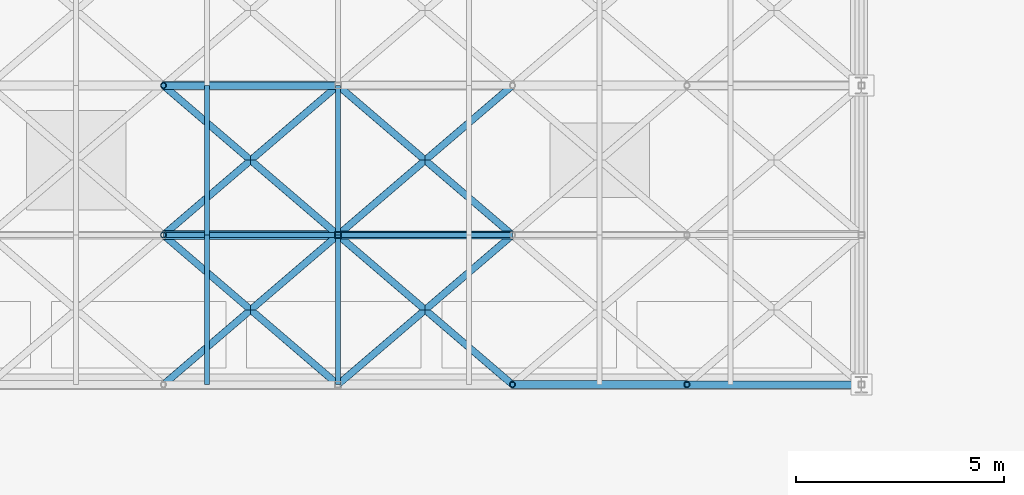
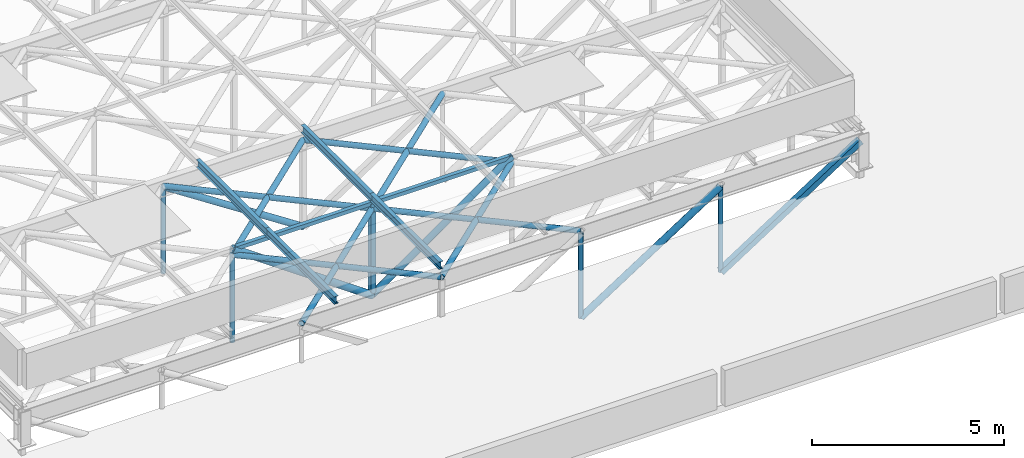
# One storey, part 6 of 45: 24 members.
"""IFC4 building model written with IfcOpenShell, lengths in metres."""

from ifc_helpers import new_model, si_unit, derived_unit, direction, frame, origin, origin_2d, place, context, subcontext, project, spatial, hollow_rectangle, hollow_circle, i_section, extrude, material, material_profile, profile_set, type_object, element, save


model = new_model("IFC4")

# Units and contexts
model_context = context("Model", 3, precision=1e-05, world=origin(), true_north=direction((0.0, 1.0)))
body_context = subcontext(model_context, "Body", "Model", "MODEL_VIEW")
ifc_project = project(units=[si_unit("LENGTHUNIT", "METRE"), si_unit("AREAUNIT", "SQUARE_METRE"), si_unit("VOLUMEUNIT", "CUBIC_METRE"), si_unit("PLANEANGLEUNIT", "RADIAN"), si_unit("MASSUNIT", "GRAM", prefix="KILO"), derived_unit("THERMALTRANSMITTANCEUNIT", [(si_unit("MASSUNIT", "GRAM", prefix="KILO"), 1), (si_unit("TIMEUNIT", "SECOND"), -3), (si_unit("THERMODYNAMICTEMPERATUREUNIT", "KELVIN"), -1)])], contexts=[model_context])

# Site, building, storey
site_placement = place(None, origin())
site = spatial("IfcSite", under=ifc_project, at=site_placement, CompositionType="ELEMENT")
building_placement = place(site_placement, origin())
building = spatial("IfcBuilding", under=site, at=building_placement, Name="Veldstrom Oceanarium and Marine Research Institute", CompositionType="ELEMENT")
storey_placement = place(building_placement, frame((0.0, 0.0, 22.199951171875)))
storey = spatial("IfcBuildingStorey", under=building, at=storey_placement, Name="L04", CompositionType="ELEMENT", Elevation=22.199951171875)

# Members
ifc_material_1 = material(Name="Steel S355JR", Category="steel")
ifc_material_profile_1 = material_profile(ifc_material_1, hollow_circle(Radius=0.109619140625, WallThickness=0.012451171875, at=origin_2d()), Name="CHS 219.1x12.5")
ifc_profile_set_1 = profile_set([ifc_material_profile_1], Name="Steel S355JR")
member_type_1 = type_object("IfcMemberType", Name="STR-MEM-BR1", PredefinedType="BRACE", material=ifc_profile_set_1)
member_1_placement = place(storey_placement, frame((25.199951171875, 18.0, 1.050048828125), z_axis=(0.818316866904, 0.0, -0.574767348881), x_axis=(0.0, 1.0, 0.0)))
element("IfcMember", 1, at=member_1_placement, inside=storey, type_object=member_type_1, Name="Truss Web Diagonal RT02-3", PredefinedType="BRACE", context=body_context, shape_type="SweptSolid", body=[
    extrude(hollow_circle(Radius=0.109619140625, WallThickness=0.012451171875, at=origin_2d()), origin(), (0.0, 0.0, 1.0), 5.13232421875),
])
ifc_material_2 = material(Name="Steel S355JR", Category="steel")
ifc_material_profile_2 = material_profile(ifc_material_2, hollow_circle(Radius=0.096923828125, WallThickness=0.010009765625, at=origin_2d()), Name="CHS 193.7x10")
ifc_profile_set_2 = profile_set([ifc_material_profile_2], Name="Steel S355JR")
member_type_2 = type_object("IfcMemberType", Name="STR-MEM-BR2", PredefinedType="BRACE", material=ifc_profile_set_2)
member_2_placement = place(storey_placement, frame((33.60009765625, 14.39990234375, -1.89990234375), z_axis=(0.841046607487, 0.0, 0.540962664178), x_axis=(0.0, 1.0, 0.0)))
element("IfcMember", 2, at=member_2_placement, inside=storey, type_object=member_type_2, Name="Truss Web Diagonal RT01-5", PredefinedType="BRACE", context=body_context, shape_type="SweptSolid", body=[
    extrude(hollow_circle(Radius=0.096923828125, WallThickness=0.010009765625, at=origin_2d()), origin(), (0.0, 0.0, 1.0), 4.99365234375),
])
member_3_placement = place(storey_placement, frame((29.39990234375, 18.0, -1.89990234375), z_axis=(0.81833258052, 0.0, 0.574744976193), x_axis=(0.0, 1.0, 0.0)))
element("IfcMember", 3, at=member_3_placement, inside=storey, type_object=member_type_2, Name="Truss Web Diagonal RT02-4", PredefinedType="BRACE", context=body_context, shape_type="SweptSolid", body=[
    extrude(hollow_circle(Radius=0.096923828125, WallThickness=0.010009765625, at=origin_2d()), origin(), (0.0, 0.0, 1.0), 5.132568359375),
])
member_4_placement = place(storey_placement, frame((25.199951171875, 21.60009765625, 0.843505859375), z_axis=(0.837217300889, 0.0, -0.546870360407), x_axis=(0.0, 1.0, 0.0)))
element("IfcMember", 4, at=member_4_placement, inside=storey, type_object=member_type_2, Name="Truss Web Diagonal RT03-3", PredefinedType="BRACE", context=body_context, shape_type="SweptSolid", body=[
    extrude(hollow_circle(Radius=0.096923828125, WallThickness=0.010009765625, at=origin_2d()), origin(), (0.0, 0.0, 1.0), 5.0166015625),
])
ifc_material_3 = material(Name="Steel S355JR", Category="steel")
ifc_material_profile_3 = material_profile(ifc_material_3, hollow_circle(Radius=0.084228515625, WallThickness=0.008056640625, at=origin_2d()), Name="CHS 168.3x8")
ifc_profile_set_3 = profile_set([ifc_material_profile_3], Name="Steel S355JR")
member_type_3 = type_object("IfcMemberType", Name="STR-MEM-BR3", PredefinedType="BRACE", material=ifc_profile_set_3)
for number, where, z_axis, x_axis, name in (
    (5, (25.199951171875, 14.39990234375, 0.860107421875), (0.759244140748, 0.650805911728, 0.0), (-0.650805911728, 0.759244140748, 0.0), "Roof Plan Wind Brace WB-01-3"),
    (6, (29.39990234375, 14.39990234375, 0.860107421875), (-0.759244140748, 0.650805911728, 0.0), (-0.650805911728, -0.759244140748, 0.0), "Roof Plan Counter Wind Brace WB-01-3B"),
):
    element("IfcMember", number, at=place(storey_placement, frame(where, z_axis=z_axis, x_axis=x_axis)), inside=storey, type_object=member_type_3, Name=name, PredefinedType="BRACE", context=body_context, shape_type="SweptSolid", body=[
        extrude(hollow_circle(Radius=0.084228515625, WallThickness=0.008056640625, at=origin_2d()), origin(), (0.0, 0.0, 1.0), 5.53173828125),
    ])
for number, where, z_axis, x_axis, name in (
    (7, (29.39990234375, 14.39990234375, 0.860107421875), (0.759262832861, 0.650784104474, 0.0), (-0.650784104474, 0.759262832861, 0.0), "Roof Plan Wind Brace WB-01-4"),
    (8, (33.60009765625, 14.39990234375, 0.860107421875), (-0.759262832861, 0.650784104474, 0.0), (-0.650784104474, -0.759262832861, 0.0), "Roof Plan Counter Wind Brace WB-01-4B"),
):
    element("IfcMember", number, at=place(storey_placement, frame(where, z_axis=z_axis, x_axis=x_axis)), inside=storey, type_object=member_type_3, Name=name, PredefinedType="BRACE", context=body_context, shape_type="SweptSolid", body=[
        extrude(hollow_circle(Radius=0.084228515625, WallThickness=0.008056640625, at=origin_2d()), origin(), (0.0, 0.0, 1.0), 5.531982421875),
    ])
for number, where, z_axis, x_axis, name in (
    (9, (25.199951171875, 18.0, 0.860107421875), (0.759244140748, 0.650805911728, 0.0), (-0.650805911728, 0.759244140748, 0.0), "Roof Plan Wind Brace WB-02-3"),
    (10, (29.39990234375, 18.0, 0.860107421875), (-0.759244140748, 0.650805911728, 0.0), (-0.650805911728, -0.759244140748, 0.0), "Roof Plan Counter Wind Brace WB-02-3B"),
):
    element("IfcMember", number, at=place(storey_placement, frame(where, z_axis=z_axis, x_axis=x_axis)), inside=storey, type_object=member_type_3, Name=name, PredefinedType="BRACE", context=body_context, shape_type="SweptSolid", body=[
        extrude(hollow_circle(Radius=0.084228515625, WallThickness=0.008056640625, at=origin_2d()), origin(), (0.0, 0.0, 1.0), 5.53173828125),
    ])
for number, where, z_axis, x_axis, name in (
    (11, (29.39990234375, 18.0, 0.860107421875), (0.759262832861, 0.650784104474, 0.0), (-0.650784104474, 0.759262832861, 0.0), "Roof Plan Wind Brace WB-02-4"),
    (12, (33.60009765625, 18.0, 0.860107421875), (-0.759262832861, 0.650784104474, 0.0), (-0.650784104474, -0.759262832861, 0.0), "Roof Plan Counter Wind Brace WB-02-4B"),
):
    element("IfcMember", number, at=place(storey_placement, frame(where, z_axis=z_axis, x_axis=x_axis)), inside=storey, type_object=member_type_3, Name=name, PredefinedType="BRACE", context=body_context, shape_type="SweptSolid", body=[
        extrude(hollow_circle(Radius=0.084228515625, WallThickness=0.008056640625, at=origin_2d()), origin(), (0.0, 0.0, 1.0), 5.531982421875),
    ])
ifc_material_4 = material(Name="Steel S355JR", Category="steel")
ifc_material_profile_4 = material_profile(ifc_material_4, hollow_rectangle(XDim=0.179931640625, YDim=0.179931640625, WallThickness=0.010009765625, at=origin_2d()), Name="SHS 180x180x10")
ifc_profile_set_4 = profile_set([ifc_material_profile_4], Name="Steel S355JR")
member_type_4 = type_object("IfcMemberType", Name="STR-MEM-BR4", PredefinedType="BRACE", material=ifc_profile_set_4)
member_5_placement = place(storey_placement, frame((37.800048828125, 14.39990234375, -1.89990234375), z_axis=(0.841046607487, 0.0, 0.540962664178), x_axis=(0.0, 1.0, 0.0)))
element("IfcMember", 13, at=member_5_placement, inside=storey, type_object=member_type_4, Name="Truss Web Diagonal RT01-6", PredefinedType="BRACE", context=body_context, shape_type="SweptSolid", body=[
    extrude(hollow_rectangle(XDim=0.179931640625, YDim=0.179931640625, WallThickness=0.010009765625, at=origin_2d()), origin(), (0.0, 0.0, 1.0), 4.99365234375),
])
ifc_material_5 = material(Name="Steel S355JR", Category="steel")
ifc_material_profile_5 = material_profile(ifc_material_5, i_section(OverallWidth=0.1201171875, OverallDepth=0.239990234375, WebThickness=0.006103515625, FlangeThickness=0.009765625, FilletRadius=0.014892578125, at=origin_2d()), Name="IPE 240")
ifc_profile_set_5 = profile_set([ifc_material_profile_5], Name="Steel S355JR")
member_type_5 = type_object("IfcMemberType", Name="STR-MEM-PR1", PredefinedType="PURLIN", material=ifc_profile_set_5)
for number, where, z_axis, x_axis, name in (
    (14, (26.25, 14.39990234375, 1.22998046875), (0.0, 1.0, 0.0), (-1.0, 0.0, 0.0), "Hall Roof Purlin PR-02-4"),
    (15, (29.39990234375, 14.39990234375, 1.22998046875), (0.0, 1.0, 0.0), (-1.0, 0.0, 0.0), "Hall Roof Purlin PR-02-5"),
    (16, (26.25, 18.0, 1.22998046875), (0.0, 1.0, 0.0), (-1.0, 0.0, 0.0), "Hall Roof Purlin PR-03-4"),
    (17, (29.39990234375, 18.0, 1.22998046875), (0.0, 1.0, 0.0), (-1.0, 0.0, 0.0), "Hall Roof Purlin PR-03-5"),
):
    element("IfcMember", number, at=place(storey_placement, frame(where, z_axis=z_axis, x_axis=x_axis)), inside=storey, type_object=member_type_5, Name=name, PredefinedType="PURLIN", context=body_context, shape_type="SweptSolid", body=[
        extrude(i_section(OverallWidth=0.1201171875, OverallDepth=0.239990234375, WebThickness=0.006103515625, FlangeThickness=0.009765625, FilletRadius=0.014892578125, at=origin_2d()), origin(), (0.0, 0.0, 1.0), 3.60009765625),
    ])
ifc_material_6 = material(Name="Steel S355JR", Category="steel")
ifc_material_profile_6 = material_profile(ifc_material_6, hollow_rectangle(XDim=0.14990234375, YDim=0.14990234375, WallThickness=0.010009765625, at=origin_2d()), Name="SHS 150x150x10")
ifc_profile_set_6 = profile_set([ifc_material_profile_6], Name="Steel S355JR")
member_type_6 = type_object("IfcMemberType", Name="STR-MEM-PS1", PredefinedType="POST", material=ifc_profile_set_6)
member_6_placement = place(storey_placement, frame((29.39990234375, 18.0, -1.89990234375), z_axis=(0.0, 0.0, 1.0), x_axis=(1.0, 0.0, 0.0)))
element("IfcMember", 18, at=member_6_placement, inside=storey, type_object=member_type_6, Name="Truss Vertical Post RT02-4", PredefinedType="POST", context=body_context, shape_type="SweptSolid", body=[
    extrude(hollow_rectangle(XDim=0.14990234375, YDim=0.14990234375, WallThickness=0.010009765625, at=origin_2d()), origin(), (0.0, 0.0, 1.0), 2.949951171875),
])
ifc_material_7 = material(Name="Steel S355JR", Category="steel")
ifc_material_profile_7 = material_profile(ifc_material_7, hollow_circle(Radius=0.06982421875, WallThickness=0.008056640625, at=origin_2d()), Name="CHS 139.7x8")
ifc_profile_set_7 = profile_set([ifc_material_profile_7], Name="Steel S355JR")
member_type_7 = type_object("IfcMemberType", Name="STR-MEM-PS2", PredefinedType="POST", material=ifc_profile_set_7)
for number, where, z_axis, x_axis, name in (
    (19, (33.60009765625, 14.39990234375, -1.89990234375), (0.0, 0.0, 1.0), (1.0, 0.0, 0.0), "Truss Vertical Post RT01-5"),
    (20, (37.800048828125, 14.39990234375, -1.89990234375), (0.0, 0.0, 1.0), (1.0, 0.0, 0.0), "Truss Vertical Post RT01-6"),
):
    element("IfcMember", number, at=place(storey_placement, frame(where, z_axis=z_axis, x_axis=x_axis)), inside=storey, type_object=member_type_7, Name=name, PredefinedType="POST", context=body_context, shape_type="SweptSolid", body=[
        extrude(hollow_circle(Radius=0.06982421875, WallThickness=0.008056640625, at=origin_2d()), origin(), (0.0, 0.0, 1.0), 2.701416015625),
    ])
member_7_placement = place(storey_placement, frame((25.199951171875, 18.0, -1.89990234375), z_axis=(0.0, 0.0, 1.0), x_axis=(1.0, 0.0, 0.0)))
element("IfcMember", 21, at=member_7_placement, inside=storey, type_object=member_type_7, Name="Truss Vertical Post RT02-3", PredefinedType="POST", context=body_context, shape_type="SweptSolid", body=[
    extrude(hollow_circle(Radius=0.06982421875, WallThickness=0.008056640625, at=origin_2d()), origin(), (0.0, 0.0, 1.0), 2.949951171875),
])
member_8_placement = place(storey_placement, frame((25.199951171875, 21.60009765625, -1.89990234375), z_axis=(0.0, 0.0, 1.0), x_axis=(1.0, 0.0, 0.0)))
element("IfcMember", 22, at=member_8_placement, inside=storey, type_object=member_type_7, Name="Truss Vertical Post RT03-3", PredefinedType="POST", context=body_context, shape_type="SweptSolid", body=[
    extrude(hollow_circle(Radius=0.06982421875, WallThickness=0.008056640625, at=origin_2d()), origin(), (0.0, 0.0, 1.0), 2.743408203125),
])
ifc_material_8 = material(Name="Steel S355JR", Category="steel")
ifc_material_profile_8 = material_profile(ifc_material_8, hollow_rectangle(XDim=0.1201171875, YDim=0.1201171875, WallThickness=0.008056640625, at=origin_2d()), Name="SHS 120x120x8")
ifc_profile_set_8 = profile_set([ifc_material_profile_8], Name="Steel S355JR")
member_type_8 = type_object("IfcMemberType", Name="STR-MEM-RF1", PredefinedType="RAFTER", material=ifc_profile_set_8)
member_9_placement = place(storey_placement, frame((25.199951171875, 18.0, 1.050048828125), z_axis=(1.0, 0.0, 0.0), x_axis=(0.0, 1.0, 0.0)))
element("IfcMember", 23, at=member_9_placement, inside=storey, type_object=member_type_8, Name="Truss Top Rafter RT02-3", PredefinedType="RAFTER", context=body_context, shape_type="SweptSolid", body=[
    extrude(hollow_rectangle(XDim=0.1201171875, YDim=0.1201171875, WallThickness=0.008056640625, at=origin_2d()), origin(), (0.0, 0.0, 1.0), 4.199951171875),
])
member_10_placement = place(storey_placement, frame((29.39990234375, 18.0, 1.050048828125), z_axis=(1.0, 0.0, 0.0), x_axis=(0.0, 1.0, 0.0)))
element("IfcMember", 24, at=member_10_placement, inside=storey, type_object=member_type_8, Name="Truss Top Rafter RT02-4", PredefinedType="RAFTER", context=body_context, shape_type="SweptSolid", body=[
    extrude(hollow_rectangle(XDim=0.1201171875, YDim=0.1201171875, WallThickness=0.008056640625, at=origin_2d()), origin(), (0.0, 0.0, 1.0), 4.2001953125),
])

save(model, "model.ifc")
